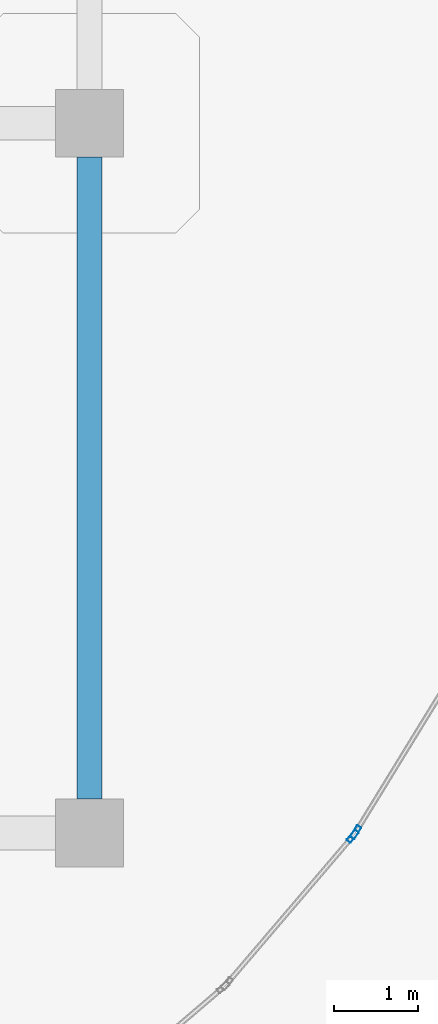
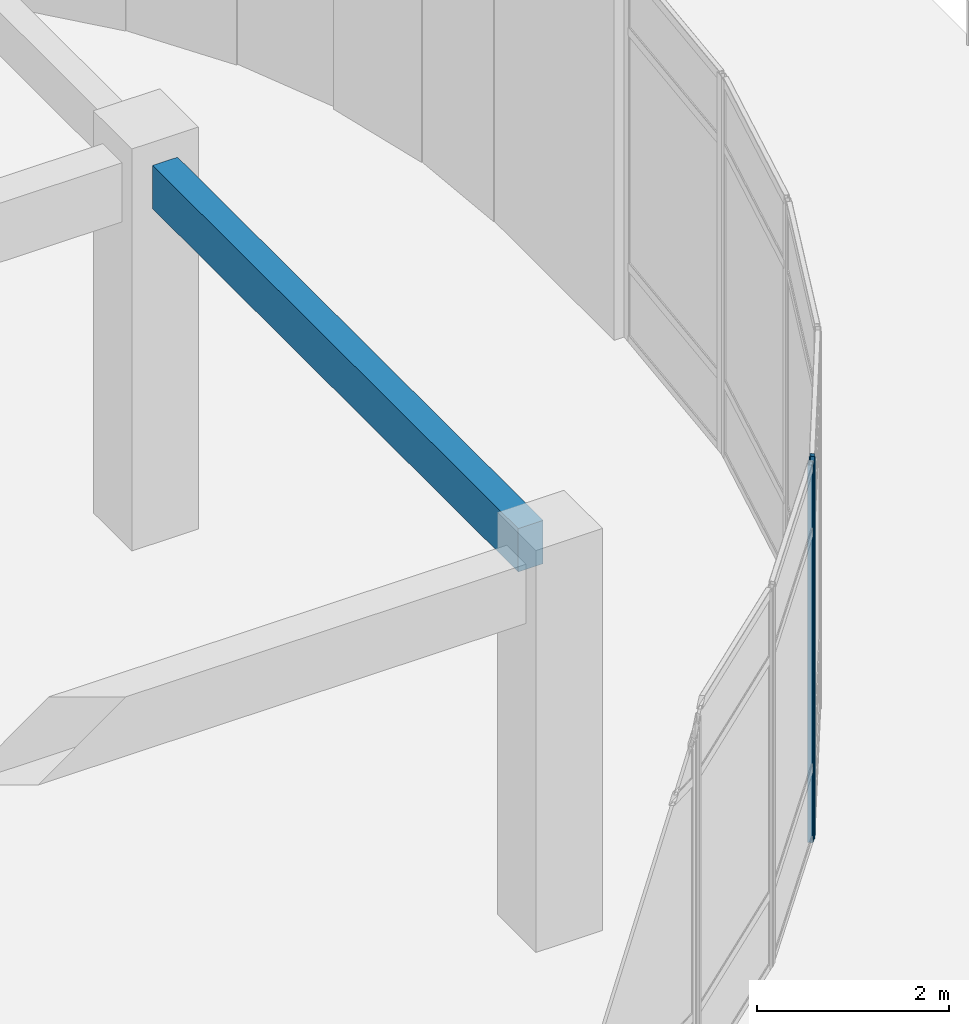
# One storey, part 73 of 124: 2 members, 1 beam, 2 elements without a shape of their own.
"""IFC4 building model written with IfcOpenShell, lengths in metres."""

from ifc_helpers import new_model, si_unit, derived_unit, direction, frame, origin, origin_2d, place, context, subcontext, project, spatial, rectangle, hollow_rectangle, extrude, material, layer, layer_set, material_profile, profile_set, type_object, element, aggregate, save


model = new_model("IFC4")

# Units and contexts
model_context = context("Model", 3, precision=1e-05, world=origin(), true_north=direction((0.0, 1.0)))
body_context = subcontext(model_context, "Body", "Model", "MODEL_VIEW")
ifc_project = project(units=[si_unit("LENGTHUNIT", "METRE"), si_unit("AREAUNIT", "SQUARE_METRE"), si_unit("VOLUMEUNIT", "CUBIC_METRE"), si_unit("PLANEANGLEUNIT", "RADIAN"), si_unit("MASSUNIT", "GRAM", prefix="KILO"), derived_unit("THERMALTRANSMITTANCEUNIT", [(si_unit("MASSUNIT", "GRAM", prefix="KILO"), 1), (si_unit("TIMEUNIT", "SECOND"), -3), (si_unit("THERMODYNAMICTEMPERATUREUNIT", "KELVIN"), -1)])], contexts=[model_context])

# Site, building, storey
site_placement = place(None, origin())
site = spatial("IfcSite", under=ifc_project, at=site_placement, CompositionType="ELEMENT")
building_placement = place(site_placement, origin())
building = spatial("IfcBuilding", under=site, at=building_placement, Name="Qinzheling Arcade Emporium", CompositionType="ELEMENT")
storey_placement = place(building_placement, frame((0.0, 0.0, 16.5)))
storey = spatial("IfcBuildingStorey", under=building, at=storey_placement, Name="L04", CompositionType="ELEMENT", Elevation=16.5)

# Curtain wall, member
ifc_material_1 = material(Name="Anodised aluminium and solar-control double glazing", Category="aluminium")
ifc_layer = layer(ifc_material_1, 0.159912109375, Name="Anodised aluminium and solar-control double glazing", Category="aluminium")
ifc_layer_set = layer_set([ifc_layer], Name="Anodised aluminium and solar-control double glazing")
curtain_wall_type = type_object("IfcCurtainWallType", Name="Curved Ribbon Sales Curtain Wall", PredefinedType="NOTDEFINED", material=ifc_layer_set)
curtain_wall_1_placement = place(storey_placement, origin())
curtain_wall_1 = element("IfcCurtainWall", 1, at=curtain_wall_1_placement, inside=storey, type_object=curtain_wall_type, Name="Curtain Wall CW-L04-211", PredefinedType="NOTDEFINED")
ifc_material_2 = material(Name="Anodised aluminium 6063-T6", Category="aluminium")
ifc_material_profile_1 = material_profile(ifc_material_2, hollow_rectangle(XDim=0.06005859375, YDim=0.159912109375, WallThickness=0.00390625, InnerFilletRadius=0.00390625, OuterFilletRadius=0.008056640625, at=origin_2d()), Name="RHS 160x60x4", Category="aluminium")
ifc_profile_set_1 = profile_set([ifc_material_profile_1], Name="Anodised aluminium 6063-T6")
member_type = type_object("IfcMemberType", Name="Curtain Wall Mullion RHS160x60", PredefinedType="MULLION", material=ifc_profile_set_1)
member_1_placement = place(storey_placement, frame((159.750732421875, 8.40869140625, 0.0), z_axis=(0.0, 0.0, 1.0), x_axis=(0.852619568756, -0.522532172191, 0.0)))
member_1 = element("IfcMember", 2, at=member_1_placement, type_object=member_type, Name="CW02 mullion 2", PredefinedType="MULLION", context=body_context, shape_type="SweptSolid", body=[
    extrude(hollow_rectangle(XDim=0.06005859375, YDim=0.159912109375, WallThickness=0.00390625, InnerFilletRadius=0.00390625, OuterFilletRadius=0.008056640625, at=origin_2d()), origin(), (0.0, 0.0, 1.0), 4.7900390625),
])
aggregate(curtain_wall_1, [member_1])

curtain_wall_2_placement = place(storey_placement, origin())
curtain_wall_2 = element("IfcCurtainWall", 3, at=curtain_wall_2_placement, inside=storey, type_object=curtain_wall_type, Name="Curtain Wall CW-L04-212", PredefinedType="NOTDEFINED")
member_2_placement = place(storey_placement, frame((159.715576171875, 8.360107421875, 0.0), z_axis=(0.0, 0.0, 1.0), x_axis=(0.760574737185, -0.649250390185, 0.0)))
member_2 = element("IfcMember", 4, at=member_2_placement, type_object=member_type, Name="CW02 mullion 1", PredefinedType="MULLION", context=body_context, shape_type="SweptSolid", body=[
    extrude(hollow_rectangle(XDim=0.06005859375, YDim=0.159912109375, WallThickness=0.00390625, InnerFilletRadius=0.00390625, OuterFilletRadius=0.008056640625, at=origin_2d()), origin(), (0.0, 0.0, 1.0), 4.7900390625),
])
aggregate(curtain_wall_2, [member_2])

# Beam
ifc_material_3 = material(Name="Concrete C40", Category="concrete")
ifc_material_profile_2 = material_profile(ifc_material_3, rectangle(XDim=0.300048828125, YDim=0.550048828125, at=origin_2d()), Name="RC 300x550", Category="concrete")
ifc_profile_set_2 = profile_set([ifc_material_profile_2], Name="Concrete C40")
beam_type = type_object("IfcBeamType", Name="RC Terrace Spandrel Beam 300x550 C40", PredefinedType="SPANDREL", material=ifc_profile_set_2)
beam_placement = place(storey_placement, frame((156.60009765625, 8.800048828125, 4.530029296875), z_axis=(0.0, 1.0, 0.0), x_axis=(-1.0, 0.0, 0.0)))
element("IfcBeam", 5, at=beam_placement, inside=storey, type_object=beam_type, Name="Beam BM-L04-Y-19-B", PredefinedType="SPANDREL", context=body_context, shape_type="SweptSolid", body=[
    extrude(rectangle(XDim=0.300048828125, YDim=0.550048828125, at=origin_2d()), origin(), (0.0, 0.0, 1.0), 7.599853515625),
])

save(model, "model.ifc")
